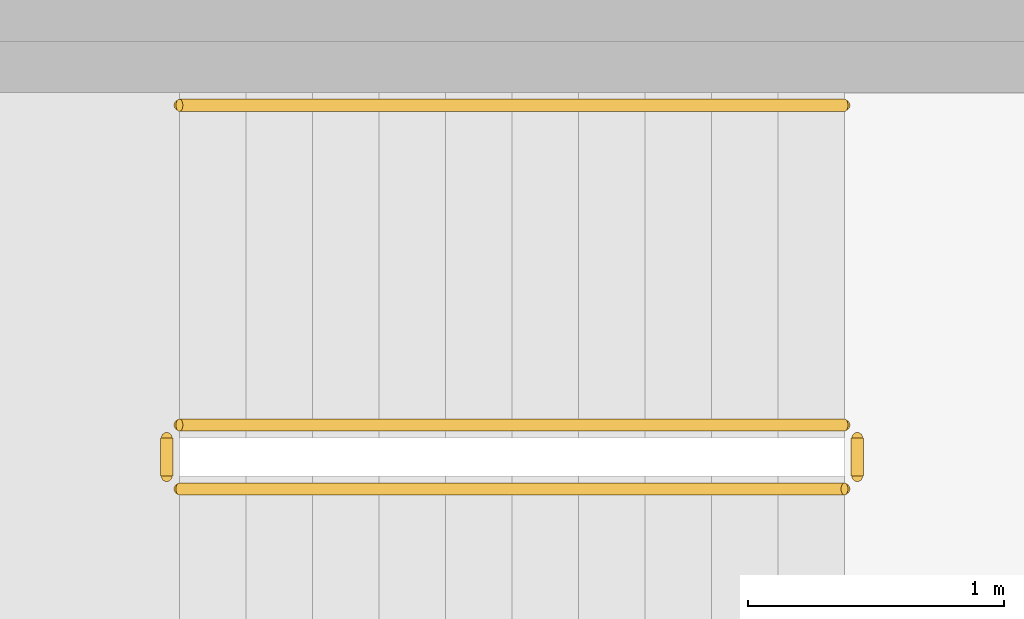
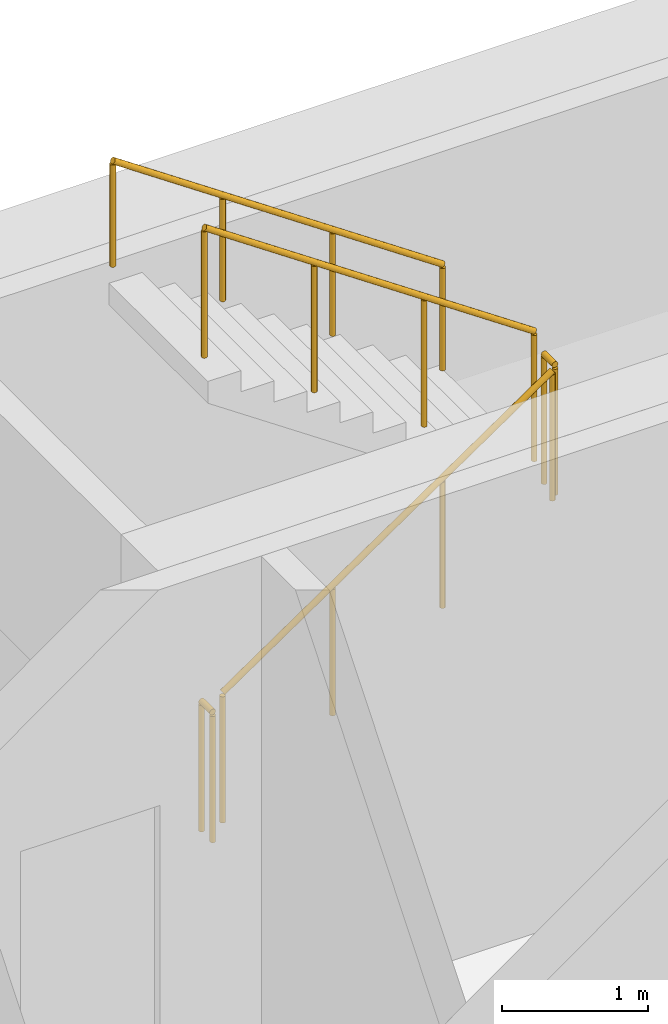
# One storey, part 8 of 8: 5 railings.
"""IFC4 building model written with IfcOpenShell, lengths in metres."""

from ifc_helpers import new_model, si_unit, direction, frame, origin, origin_2d, place, context, subcontext, project, spatial, circle, extrude, material, type_object, element, save


model = new_model("IFC4")

# Units and contexts
model_context = context("Model", 3, precision=1e-05, world=origin(), true_north=direction((0.0, 1.0)))
body_context = subcontext(model_context, "Body", "Model", "MODEL_VIEW")
ifc_project = project(units=[si_unit("LENGTHUNIT", "METRE"), si_unit("AREAUNIT", "SQUARE_METRE"), si_unit("VOLUMEUNIT", "CUBIC_METRE"), si_unit("PLANEANGLEUNIT", "RADIAN"), si_unit("MASSUNIT", "GRAM", prefix="KILO")], contexts=[model_context])

# Site, building, storey
site_placement = place(None, origin())
site = spatial("IfcSite", under=ifc_project, at=site_placement, CompositionType="ELEMENT")
building_placement = place(site_placement, origin())
building = spatial("IfcBuilding", under=site, at=building_placement, Name="White Candle Pilgrim Tower", CompositionType="ELEMENT")
storey_placement = place(building_placement, frame((0.0, 0.0, 279.5)))
storey = spatial("IfcBuildingStorey", under=building, at=storey_placement, Name="L66", CompositionType="ELEMENT", Elevation=279.5)

# Railings
ifc_material = material(Name="Stainless steel", Category="steel")
railing_type_1 = type_object("IfcRailingType", Name="Stair guard stainless steel 1100 mm", PredefinedType="GUARDRAIL", material=ifc_material)
railing_1_placement = place(storey_placement, frame((69.39990234375, 85.550048828125, 0.17724609375)))
element("IfcRailing", 1, at=railing_1_placement, inside=storey, type_object=railing_type_1, Name="L66 ST3 stair guard 1", PredefinedType="GUARDRAIL", context=body_context, shape_type="SweptSolid", body=[
    extrude(circle(Radius=0.02392578125, at=origin_2d()), frame((0.0, 0.0, 1.076171875), z_axis=(0.826240473404, 0.0, 0.563317565952), x_axis=(0.0, 1.0, 0.0)), (0.0, 0.0, 1.0), 3.14697265625),
    extrude(circle(Radius=0.02099609375, at=origin_2d()), origin(), (0.0, 0.0, 1.0), 1.052001953125),
    extrude(circle(Radius=0.02099609375, at=origin_2d()), frame((0.86669921875, 0.0, 0.5908203125)), (0.0, 0.0, 1.0), 1.052001953125),
    extrude(circle(Radius=0.02099609375, at=origin_2d()), frame((1.7333984375, 0.0, 1.181884765625)), (0.0, 0.0, 1.0), 1.052001953125),
    extrude(circle(Radius=0.02099609375, at=origin_2d()), frame((2.60009765625, 0.0, 1.772705078125)), (0.0, 0.0, 1.0), 1.052001953125),
])
railing_2_placement = place(storey_placement, frame((72.050048828125, 85.60009765625, 1.949951171875)))
element("IfcRailing", 2, at=railing_2_placement, inside=storey, type_object=railing_type_1, Name="L66 ST3 stair guard 2", PredefinedType="GUARDRAIL", context=body_context, shape_type="SweptSolid", body=[
    extrude(circle(Radius=0.02392578125, at=origin_2d()), frame((0.0, 0.0, 1.076171875), z_axis=(0.0, 1.0, 0.0), x_axis=(-1.0, 0.0, 0.0)), (0.0, 0.0, 1.0), 0.14990234375),
    extrude(circle(Radius=0.02099609375, at=origin_2d()), origin(), (0.0, 0.0, 1.0), 1.052001953125),
    extrude(circle(Radius=0.02099609375, at=origin_2d()), frame((0.0, 0.14990234375, 0.0)), (0.0, 0.0, 1.0), 1.052001953125),
])
railing_3_placement = place(storey_placement, frame((72.0, 85.800048828125, 2.127197265625)))
element("IfcRailing", 3, at=railing_3_placement, inside=storey, type_object=railing_type_1, Name="L66 ST3 stair guard 3", PredefinedType="GUARDRAIL", context=body_context, shape_type="SweptSolid", body=[
    extrude(circle(Radius=0.02392578125, at=origin_2d()), frame((0.0, 0.0, 1.076171875), z_axis=(-0.826240473404, 0.0, 0.563317565952), x_axis=(0.0, -1.0, 0.0)), (0.0, 0.0, 1.0), 3.14697265625),
    extrude(circle(Radius=0.02099609375, at=origin_2d()), origin(), (0.0, 0.0, 1.0), 1.052001953125),
    extrude(circle(Radius=0.02099609375, at=origin_2d()), frame((-0.86669921875, 0.0, 0.5908203125)), (0.0, 0.0, 1.0), 1.052001953125),
    extrude(circle(Radius=0.02099609375, at=origin_2d()), frame((-1.7333984375, 0.0, 1.181884765625)), (0.0, 0.0, 1.0), 1.052001953125),
    extrude(circle(Radius=0.02099609375, at=origin_2d()), frame((-2.60009765625, 0.0, 1.772705078125)), (0.0, 0.0, 1.0), 1.052001953125),
])
railing_4_placement = place(storey_placement, frame((69.35009765625, 85.60009765625, 0.0)))
element("IfcRailing", 4, at=railing_4_placement, inside=storey, type_object=railing_type_1, Name="L66 ST3 stair guard 4", PredefinedType="GUARDRAIL", context=body_context, shape_type="SweptSolid", body=[
    extrude(circle(Radius=0.02392578125, at=origin_2d()), frame((0.0, 0.0, 1.076171875), z_axis=(0.0, 1.0, 0.0), x_axis=(-1.0, 0.0, 0.0)), (0.0, 0.0, 1.0), 0.14990234375),
    extrude(circle(Radius=0.02099609375, at=origin_2d()), origin(), (0.0, 0.0, 1.0), 1.052001953125),
    extrude(circle(Radius=0.02099609375, at=origin_2d()), frame((0.0, 0.14990234375, 0.0)), (0.0, 0.0, 1.0), 1.052001953125),
])
railing_type_2 = type_object("IfcRailingType", Name="Stair handrail stainless steel", PredefinedType="HANDRAIL", material=ifc_material)
railing_5_placement = place(storey_placement, frame((72.0, 87.050048828125, 2.127197265625)))
element("IfcRailing", 5, at=railing_5_placement, inside=storey, type_object=railing_type_2, Name="L66 ST3 stair handrail 2", PredefinedType="HANDRAIL", context=body_context, shape_type="SweptSolid", body=[
    extrude(circle(Radius=0.02392578125, at=origin_2d()), frame((0.0, 0.0, 0.8759765625), z_axis=(-0.826240473404, 0.0, 0.563317565952), x_axis=(0.0, -1.0, 0.0)), (0.0, 0.0, 1.0), 3.14697265625),
    extrude(circle(Radius=0.02099609375, at=origin_2d()), origin(), (0.0, 0.0, 1.0), 0.851806640625),
    extrude(circle(Radius=0.02099609375, at=origin_2d()), frame((-0.86669921875, 0.0, 0.5908203125)), (0.0, 0.0, 1.0), 0.851806640625),
    extrude(circle(Radius=0.02099609375, at=origin_2d()), frame((-1.7333984375, 0.0, 1.181884765625)), (0.0, 0.0, 1.0), 0.851806640625),
    extrude(circle(Radius=0.02099609375, at=origin_2d()), frame((-2.60009765625, 0.0, 1.772705078125)), (0.0, 0.0, 1.0), 0.851806640625),
])

save(model, "model.ifc")
